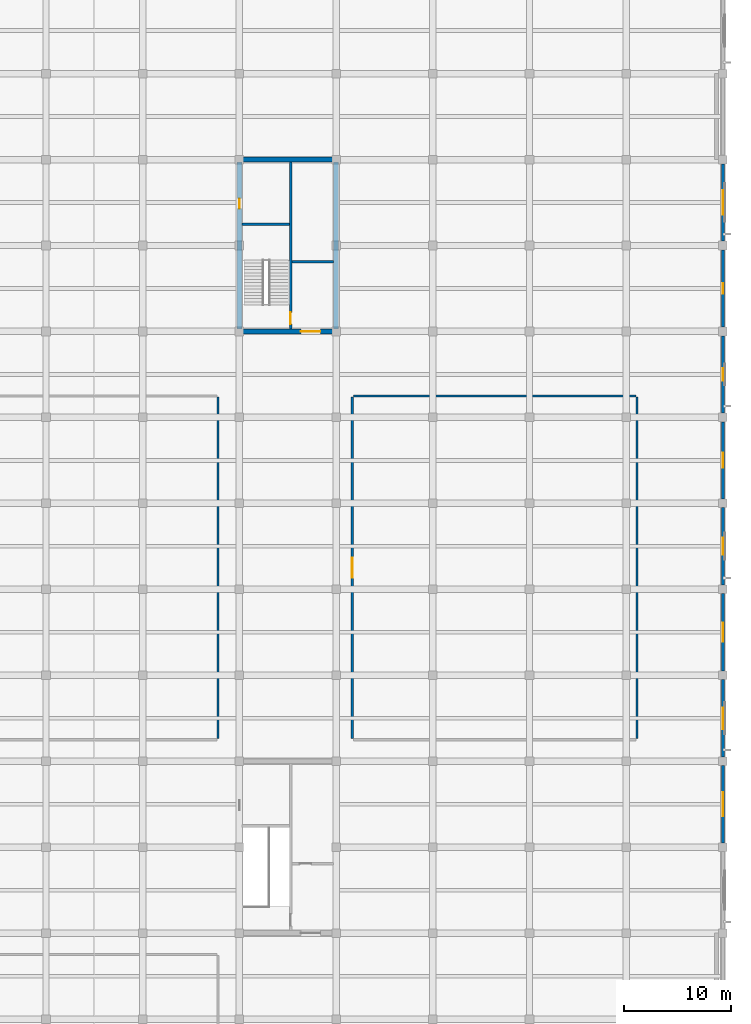
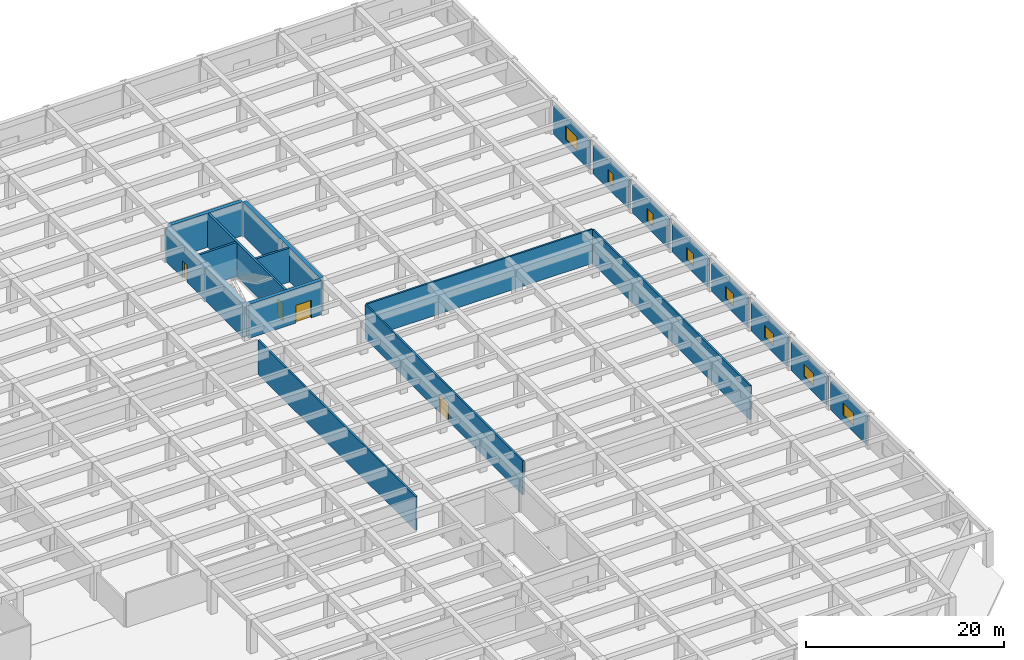
# One storey, part 18 of 32: 19 walls, 8 windows, 4 doors, 12 openings.
"""IFC4 building model written with IfcOpenShell, lengths in metres."""

from ifc_helpers import new_model, si_unit, direction, frame, frame_2d, origin, place, context, subcontext, project, spatial, rectangle, extrude, material, layer, layer_set, type_object, element, fill, save


model = new_model("IFC4")

# Units and contexts
model_context = context("Model", 3, precision=1e-05, world=origin(), true_north=direction((0.0, 1.0)))
body_context = subcontext(model_context, "Body", "Model", "MODEL_VIEW")
ifc_project = project(units=[si_unit("LENGTHUNIT", "METRE"), si_unit("AREAUNIT", "SQUARE_METRE"), si_unit("VOLUMEUNIT", "CUBIC_METRE"), si_unit("PLANEANGLEUNIT", "RADIAN"), si_unit("MASSUNIT", "GRAM", prefix="KILO")], contexts=[model_context])

# Site, building, storey
site_placement = place(None, origin())
site = spatial("IfcSite", under=ifc_project, at=site_placement, CompositionType="ELEMENT")
building_placement = place(site_placement, origin())
building = spatial("IfcBuilding", under=site, at=building_placement, Name="Zaverband Oceanarium and Marine Research Institute", CompositionType="ELEMENT")
storey_placement = place(building_placement, frame((0.0, 0.0, 13.5)))
storey = spatial("IfcBuildingStorey", under=building, at=storey_placement, Name="L03", CompositionType="ELEMENT", Elevation=13.5)

# Wall, opening, door
ifc_material_1 = material(Name="Concrete C50/60", Category="concrete")
ifc_layer_1 = layer(ifc_material_1, 0.449951171875, Name="Concrete C50/60")
ifc_layer_set_1 = layer_set([ifc_layer_1], Name="Concrete C50/60")
wall_type_1 = type_object("IfcWallType", Name="CW-02", PredefinedType="SHEAR", material=ifc_layer_set_1)
wall_1_placement = place(storey_placement, frame((135.22509765625, 80.0, 0.0), z_axis=(0.0, 0.0, 1.0), x_axis=(1.0, 0.0, 0.0)))
wall_1 = element("IfcWall", 1, at=wall_1_placement, inside=storey, type_object=wall_type_1, Name="Structural shear wall CW-02", PredefinedType="SHEAR", context=body_context, shape_type="SweptSolid", body=[
    extrude(rectangle(XDim=8.5498046875, YDim=0.449951171875, at=frame_2d((4.27490234375, 0.0))), origin(), (0.0, 0.0, 1.0), 4.199951171875),
])
opening_1_placement = place(wall_1_placement, frame((5.5, 0.0, 0.0)))
opening_1 = element("IfcOpeningElement", 2, at=opening_1_placement, cuts=wall_1, Name="Opening FD-02", PredefinedType="OPENING", context=body_context, shape_type="SweptSolid", body=[
    extrude(rectangle(XDim=1.800048828125, YDim=2.179931640625, at=frame_2d((0.89990234375, 1.08984375))), frame((0.0, 0.23681640625, 0.0), z_axis=(0.0, -1.0, 0.0), x_axis=(1.0, 0.0, 0.0)), (0.0, 0.0, 1.0), 0.473876953125),
])
ifc_material_2 = material(Name="Steel S355", Category="steel")
door_type_1 = type_object("IfcDoorType", Name="FD-02", OperationType="DOUBLE_DOOR_SINGLE_SWING", PredefinedType="DOOR", material=ifc_material_2)
door_1_placement = place(opening_1_placement, origin())
door_1 = element("IfcDoor", 3, at=door_1_placement, inside=storey, type_object=door_type_1, Name="Protected lobby double fire door FD-02", OperationType="DOUBLE_DOOR_SINGLE_SWING", OverallHeight=2.179931640625, OverallWidth=1.800048828125, PredefinedType="DOOR", context=body_context, shape_type="SweptSolid", body=[
    extrude(rectangle(XDim=1.800048828125, YDim=2.179931640625, at=frame_2d((0.89990234375, 1.08984375))), frame((0.0, 0.02490234375, 0.0), z_axis=(0.0, -1.0, 0.0), x_axis=(1.0, 0.0, 0.0)), (0.0, 0.0, 1.0), 0.050048828125),
])
fill(opening_1, door_1)

# Wall
wall_2_placement = place(storey_placement, frame((135.22509765625, 96.0, 0.0), z_axis=(0.0, 0.0, 1.0), x_axis=(1.0, 0.0, 0.0)))
element("IfcWall", 4, at=wall_2_placement, inside=storey, type_object=wall_type_1, Name="Structural shear wall CW-02", PredefinedType="SHEAR", context=body_context, shape_type="SweptSolid", body=[
    extrude(rectangle(XDim=8.5498046875, YDim=0.449951171875, at=frame_2d((4.27490234375, 0.0))), origin(), (0.0, 0.0, 1.0), 4.199951171875),
])

# Wall, opening, door
wall_3_placement = place(storey_placement, frame((135.0, 80.22509765625, 0.0), z_axis=(0.0, 0.0, 1.0), x_axis=(0.0, 1.0, 0.0)))
wall_3 = element("IfcWall", 5, at=wall_3_placement, inside=storey, type_object=wall_type_1, Name="Structural shear wall CW-02", PredefinedType="SHEAR", context=body_context, shape_type="SweptSolid", body=[
    extrude(rectangle(XDim=15.5498046875, YDim=0.449951171875, at=frame_2d((7.77490234375, 0.0))), origin(), (0.0, 0.0, 1.0), 4.199951171875),
])
opening_2_placement = place(wall_3_placement, frame((11.199951171875, 0.0, 0.0)))
opening_2 = element("IfcOpeningElement", 6, at=opening_2_placement, cuts=wall_3, Name="Opening FD-03", PredefinedType="OPENING", context=body_context, shape_type="SweptSolid", body=[
    extrude(rectangle(XDim=0.949951171875, YDim=2.10009765625, at=frame_2d((0.47509765625, 1.050048828125))), frame((0.0, 0.23681640625, 0.0), z_axis=(0.0, -1.0, 0.0), x_axis=(1.0, 0.0, 0.0)), (0.0, 0.0, 1.0), 0.473876953125),
])
door_type_2 = type_object("IfcDoorType", Name="FD-03", OperationType="NOTDEFINED", PredefinedType="DOOR", material=ifc_material_2)
door_2_placement = place(opening_2_placement, origin())
door_2 = element("IfcDoor", 7, at=door_2_placement, inside=storey, type_object=door_type_2, Name="Service riser access fire door FD-03", OperationType="SINGLE_SWING_RIGHT", OverallHeight=2.10009765625, OverallWidth=0.949951171875, PredefinedType="DOOR", context=body_context, shape_type="SweptSolid", body=[
    extrude(rectangle(XDim=0.949951171875, YDim=2.10009765625, at=frame_2d((0.47509765625, 1.050048828125))), frame((0.0, 0.02490234375, 0.0), z_axis=(0.0, -1.0, 0.0), x_axis=(1.0, 0.0, 0.0)), (0.0, 0.0, 1.0), 0.050048828125),
])
fill(opening_2, door_2)

# Wall
wall_4_placement = place(storey_placement, frame((144.0, 80.22509765625, 0.0), z_axis=(0.0, 0.0, 1.0), x_axis=(0.0, 1.0, 0.0)))
element("IfcWall", 8, at=wall_4_placement, inside=storey, type_object=wall_type_1, Name="Structural shear wall CW-02", PredefinedType="SHEAR", context=body_context, shape_type="SweptSolid", body=[
    extrude(rectangle(XDim=15.5498046875, YDim=0.449951171875, at=frame_2d((7.77490234375, 0.0))), origin(), (0.0, 0.0, 1.0), 4.199951171875),
])

# Wall, opening, window
ifc_material_3 = material(Name="Concrete C40/50 precast", Category="concrete")
ifc_layer_2 = layer(ifc_material_3, 0.264892578125, Name="Concrete C40/50 precast")
ifc_layer_set_2 = layer_set([ifc_layer_2], Name="Concrete C40/50 precast")
wall_type_2 = type_object("IfcWallType", Name="EW-265", PredefinedType="STANDARD", material=ifc_layer_set_2)
wall_5_placement = place(storey_placement, frame((180.0, 40.405029296875, 0.0), z_axis=(0.0, 0.0, 1.0), x_axis=(0.0, 1.0, 0.0)))
wall_5 = element("IfcWall", 9, at=wall_5_placement, inside=storey, type_object=wall_type_2, Name="Exterior infill wall EW-265", PredefinedType="STANDARD", context=body_context, shape_type="SweptSolid", body=[
    extrude(rectangle(XDim=7.18994140625, YDim=0.264892578125, at=frame_2d((3.594970703125, 0.0))), origin(), (0.0, 0.0, 1.0), 3.47998046875),
])
opening_3_placement = place(wall_5_placement, frame((2.594970703125, 0.0, 0.85009765625)))
opening_3 = element("IfcOpeningElement", 10, at=opening_3_placement, cuts=wall_5, Name="Opening WN-2000x1500", PredefinedType="OPENING", context=body_context, shape_type="SweptSolid", body=[
    extrude(rectangle(XDim=2.0, YDim=1.5, at=frame_2d((1.0, 0.75))), frame((0.0, 0.14453125, 0.0), z_axis=(0.0, -1.0, 0.0), x_axis=(1.0, 0.0, 0.0)), (0.0, 0.0, 1.0), 0.288818359375),
])
ifc_material_4 = material(Name="Thermally broken anodized aluminium and solar-control glass", Category="aluminium")
window_type_1 = type_object("IfcWindowType", Name="WN-2000x1500", PartitioningType="SINGLE_PANEL", PredefinedType="WINDOW", material=ifc_material_4)
window_1_placement = place(opening_3_placement, origin())
window_1 = element("IfcWindow", 11, at=window_1_placement, inside=storey, type_object=window_type_1, Name="Fixed / casement exterior window WN-2000x1500", OverallHeight=1.5, OverallWidth=2.0, PartitioningType="SINGLE_PANEL", PredefinedType="WINDOW", context=body_context, shape_type="SweptSolid", body=[
    extrude(rectangle(XDim=2.0, YDim=1.5, at=frame_2d((1.0, 0.75))), frame((0.0, 0.030029296875, 0.0), z_axis=(0.0, -1.0, 0.0), x_axis=(1.0, 0.0, 0.0)), (0.0, 0.0, 1.0), 0.06005859375),
])
fill(opening_3, window_1)

wall_6_placement = place(storey_placement, frame((180.0, 64.405029296875, 0.0), z_axis=(0.0, 0.0, 1.0), x_axis=(0.0, 1.0, 0.0)))
wall_6 = element("IfcWall", 12, at=wall_6_placement, inside=storey, type_object=wall_type_2, Name="Exterior infill wall EW-265", PredefinedType="STANDARD", context=body_context, shape_type="SweptSolid", body=[
    extrude(rectangle(XDim=7.18994140625, YDim=0.264892578125, at=frame_2d((3.594970703125, 0.0))), origin(), (0.0, 0.0, 1.0), 3.47998046875),
])
opening_4_placement = place(wall_6_placement, frame((2.89501953125, 0.0, 0.85009765625)))
opening_4 = element("IfcOpeningElement", 13, at=opening_4_placement, cuts=wall_6, Name="Opening WN-1400x1500", PredefinedType="OPENING", context=body_context, shape_type="SweptSolid", body=[
    extrude(rectangle(XDim=1.39990234375, YDim=1.5, at=frame_2d((0.699951171875, 0.75))), frame((0.0, 0.14453125, 0.0), z_axis=(0.0, -1.0, 0.0), x_axis=(1.0, 0.0, 0.0)), (0.0, 0.0, 1.0), 0.288818359375),
])
window_type_2 = type_object("IfcWindowType", Name="WN-1400x1500", PartitioningType="SINGLE_PANEL", PredefinedType="WINDOW", material=ifc_material_4)
window_2_placement = place(opening_4_placement, origin())
window_2 = element("IfcWindow", 14, at=window_2_placement, inside=storey, type_object=window_type_2, Name="Fixed / casement exterior window WN-1400x1500", OverallHeight=1.5, OverallWidth=1.39990234375, PartitioningType="SINGLE_PANEL", PredefinedType="WINDOW", context=body_context, shape_type="SweptSolid", body=[
    extrude(rectangle(XDim=1.39990234375, YDim=1.5, at=frame_2d((0.699951171875, 0.75))), frame((0.0, 0.030029296875, 0.0), z_axis=(0.0, -1.0, 0.0), x_axis=(1.0, 0.0, 0.0)), (0.0, 0.0, 1.0), 0.06005859375),
])
fill(opening_4, window_2)

wall_7_placement = place(storey_placement, frame((180.0, 88.405029296875, 0.0), z_axis=(0.0, 0.0, 1.0), x_axis=(0.0, 1.0, 0.0)))
wall_7 = element("IfcWall", 15, at=wall_7_placement, inside=storey, type_object=wall_type_2, Name="Exterior infill wall EW-265", PredefinedType="STANDARD", context=body_context, shape_type="SweptSolid", body=[
    extrude(rectangle(XDim=7.18994140625, YDim=0.264892578125, at=frame_2d((3.594970703125, 0.0))), origin(), (0.0, 0.0, 1.0), 3.47998046875),
])
opening_5_placement = place(wall_7_placement, frame((2.445068359375, 0.0, 0.85009765625)))
opening_5 = element("IfcOpeningElement", 16, at=opening_5_placement, cuts=wall_7, Name="Opening WN-2300x1650", PredefinedType="OPENING", context=body_context, shape_type="SweptSolid", body=[
    extrude(rectangle(XDim=2.300048828125, YDim=1.64990234375, at=frame_2d((1.14990234375, 0.824951171875))), frame((0.0, 0.14453125, 0.0), z_axis=(0.0, -1.0, 0.0), x_axis=(1.0, 0.0, 0.0)), (0.0, 0.0, 1.0), 0.288818359375),
])
window_type_3 = type_object("IfcWindowType", Name="WN-2300x1650", PartitioningType="SINGLE_PANEL", PredefinedType="WINDOW", material=ifc_material_4)
window_3_placement = place(opening_5_placement, origin())
window_3 = element("IfcWindow", 17, at=window_3_placement, inside=storey, type_object=window_type_3, Name="Fixed / casement exterior window WN-2300x1650", OverallHeight=1.64990234375, OverallWidth=2.300048828125, PartitioningType="SINGLE_PANEL", PredefinedType="WINDOW", context=body_context, shape_type="SweptSolid", body=[
    extrude(rectangle(XDim=2.300048828125, YDim=1.64990234375, at=frame_2d((1.14990234375, 0.824951171875))), frame((0.0, 0.030029296875, 0.0), z_axis=(0.0, -1.0, 0.0), x_axis=(1.0, 0.0, 0.0)), (0.0, 0.0, 1.0), 0.06005859375),
])
fill(opening_5, window_3)

ifc_layer_3 = layer(ifc_material_3, 0.2900390625, Name="Concrete C40/50 precast")
ifc_layer_set_3 = layer_set([ifc_layer_3], Name="Concrete C40/50 precast")
wall_type_3 = type_object("IfcWallType", Name="EW-290", PredefinedType="STANDARD", material=ifc_layer_set_3)
wall_8_placement = place(storey_placement, frame((180.0, 32.405029296875, 0.0), z_axis=(0.0, 0.0, 1.0), x_axis=(0.0, 1.0, 0.0)))
wall_8 = element("IfcWall", 18, at=wall_8_placement, inside=storey, type_object=wall_type_3, Name="Exterior infill wall EW-290", PredefinedType="STANDARD", context=body_context, shape_type="SweptSolid", body=[
    extrude(rectangle(XDim=7.18994140625, YDim=0.2900390625, at=frame_2d((3.594970703125, 0.0))), origin(), (0.0, 0.0, 1.0), 3.47998046875),
])
opening_6_placement = place(wall_8_placement, frame((2.4951171875, 0.0, 0.85009765625)))
opening_6 = element("IfcOpeningElement", 19, at=opening_6_placement, cuts=wall_8, Name="Opening WN-2200x1500", PredefinedType="OPENING", context=body_context, shape_type="SweptSolid", body=[
    extrude(rectangle(XDim=2.199951171875, YDim=1.5, at=frame_2d((1.10009765625, 0.75))), frame((0.0, 0.156982421875, 0.0), z_axis=(0.0, -1.0, 0.0), x_axis=(1.0, 0.0, 0.0)), (0.0, 0.0, 1.0), 0.31396484375),
])
window_type_4 = type_object("IfcWindowType", Name="WN-2200x1500", PartitioningType="SINGLE_PANEL", PredefinedType="WINDOW", material=ifc_material_4)
window_4_placement = place(opening_6_placement, origin())
window_4 = element("IfcWindow", 20, at=window_4_placement, inside=storey, type_object=window_type_4, Name="Fixed / casement exterior window WN-2200x1500", OverallHeight=1.5, OverallWidth=2.199951171875, PartitioningType="SINGLE_PANEL", PredefinedType="WINDOW", context=body_context, shape_type="SweptSolid", body=[
    extrude(rectangle(XDim=2.199951171875, YDim=1.5, at=frame_2d((1.10009765625, 0.75))), frame((0.0, 0.030029296875, 0.0), z_axis=(0.0, -1.0, 0.0), x_axis=(1.0, 0.0, 0.0)), (0.0, 0.0, 1.0), 0.06005859375),
])
fill(opening_6, window_4)

wall_9_placement = place(storey_placement, frame((180.0, 56.405029296875, 0.0), z_axis=(0.0, 0.0, 1.0), x_axis=(0.0, 1.0, 0.0)))
wall_9 = element("IfcWall", 21, at=wall_9_placement, inside=storey, type_object=wall_type_3, Name="Exterior infill wall EW-290", PredefinedType="STANDARD", context=body_context, shape_type="SweptSolid", body=[
    extrude(rectangle(XDim=7.18994140625, YDim=0.2900390625, at=frame_2d((3.594970703125, 0.0))), origin(), (0.0, 0.0, 1.0), 3.47998046875),
])
opening_7_placement = place(wall_9_placement, frame((2.794921875, 0.0, 0.85009765625)))
opening_7 = element("IfcOpeningElement", 22, at=opening_7_placement, cuts=wall_9, Name="Opening WN-1600x1500", PredefinedType="OPENING", context=body_context, shape_type="SweptSolid", body=[
    extrude(rectangle(XDim=1.60009765625, YDim=1.5, at=frame_2d((0.800048828125, 0.75))), frame((0.0, 0.156982421875, 0.0), z_axis=(0.0, -1.0, 0.0), x_axis=(1.0, 0.0, 0.0)), (0.0, 0.0, 1.0), 0.31396484375),
])
window_type_5 = type_object("IfcWindowType", Name="WN-1600x1500", PartitioningType="SINGLE_PANEL", PredefinedType="WINDOW", material=ifc_material_4)
window_5_placement = place(opening_7_placement, origin())
window_5 = element("IfcWindow", 23, at=window_5_placement, inside=storey, type_object=window_type_5, Name="Fixed / casement exterior window WN-1600x1500", OverallHeight=1.5, OverallWidth=1.60009765625, PartitioningType="SINGLE_PANEL", PredefinedType="WINDOW", context=body_context, shape_type="SweptSolid", body=[
    extrude(rectangle(XDim=1.60009765625, YDim=1.5, at=frame_2d((0.800048828125, 0.75))), frame((0.0, 0.030029296875, 0.0), z_axis=(0.0, -1.0, 0.0), x_axis=(1.0, 0.0, 0.0)), (0.0, 0.0, 1.0), 0.06005859375),
])
fill(opening_7, window_5)

wall_10_placement = place(storey_placement, frame((180.0, 80.405029296875, 0.0), z_axis=(0.0, 0.0, 1.0), x_axis=(0.0, 1.0, 0.0)))
wall_10 = element("IfcWall", 24, at=wall_10_placement, inside=storey, type_object=wall_type_3, Name="Exterior infill wall EW-290", PredefinedType="STANDARD", context=body_context, shape_type="SweptSolid", body=[
    extrude(rectangle(XDim=7.18994140625, YDim=0.2900390625, at=frame_2d((3.594970703125, 0.0))), origin(), (0.0, 0.0, 1.0), 3.47998046875),
])
opening_8_placement = place(wall_10_placement, frame((3.094970703125, 0.0, 0.85009765625)))
opening_8 = element("IfcOpeningElement", 25, at=opening_8_placement, cuts=wall_10, Name="Opening WN-1000x1500", PredefinedType="OPENING", context=body_context, shape_type="SweptSolid", body=[
    extrude(rectangle(XDim=1.0, YDim=1.5, at=frame_2d((0.5, 0.75))), frame((0.0, 0.156982421875, 0.0), z_axis=(0.0, -1.0, 0.0), x_axis=(1.0, 0.0, 0.0)), (0.0, 0.0, 1.0), 0.31396484375),
])
window_type_6 = type_object("IfcWindowType", Name="WN-1000x1500", PartitioningType="SINGLE_PANEL", PredefinedType="WINDOW", material=ifc_material_4)
window_6_placement = place(opening_8_placement, origin())
window_6 = element("IfcWindow", 26, at=window_6_placement, inside=storey, type_object=window_type_6, Name="Fixed / casement exterior window WN-1000x1500", OverallHeight=1.5, OverallWidth=1.0, PartitioningType="SINGLE_PANEL", PredefinedType="WINDOW", context=body_context, shape_type="SweptSolid", body=[
    extrude(rectangle(XDim=1.0, YDim=1.5, at=frame_2d((0.5, 0.75))), frame((0.0, 0.030029296875, 0.0), z_axis=(0.0, -1.0, 0.0), x_axis=(1.0, 0.0, 0.0)), (0.0, 0.0, 1.0), 0.06005859375),
])
fill(opening_8, window_6)

ifc_layer_4 = layer(ifc_material_3, 0.31005859375, Name="Concrete C40/50 precast")
ifc_layer_set_4 = layer_set([ifc_layer_4], Name="Concrete C40/50 precast")
wall_type_4 = type_object("IfcWallType", Name="EW-310", PredefinedType="STANDARD", material=ifc_layer_set_4)
wall_11_placement = place(storey_placement, frame((180.0, 48.405029296875, 0.0), z_axis=(0.0, 0.0, 1.0), x_axis=(0.0, 1.0, 0.0)))
wall_11 = element("IfcWall", 27, at=wall_11_placement, inside=storey, type_object=wall_type_4, Name="Exterior infill wall EW-310", PredefinedType="STANDARD", context=body_context, shape_type="SweptSolid", body=[
    extrude(rectangle(XDim=7.18994140625, YDim=0.31005859375, at=frame_2d((3.594970703125, 0.0))), origin(), (0.0, 0.0, 1.0), 3.47998046875),
])
opening_9_placement = place(wall_11_placement, frame((2.695068359375, 0.0, 0.85009765625)))
opening_9 = element("IfcOpeningElement", 28, at=opening_9_placement, cuts=wall_11, Name="Opening WN-1800x1500", PredefinedType="OPENING", context=body_context, shape_type="SweptSolid", body=[
    extrude(rectangle(XDim=1.800048828125, YDim=1.5, at=frame_2d((0.89990234375, 0.75))), frame((0.0, 0.1669921875, 0.0), z_axis=(0.0, -1.0, 0.0), x_axis=(1.0, 0.0, 0.0)), (0.0, 0.0, 1.0), 0.333984375),
])
window_type_7 = type_object("IfcWindowType", Name="WN-1800x1500", PartitioningType="SINGLE_PANEL", PredefinedType="WINDOW", material=ifc_material_4)
window_7_placement = place(opening_9_placement, origin())
window_7 = element("IfcWindow", 29, at=window_7_placement, inside=storey, type_object=window_type_7, Name="Fixed / casement exterior window WN-1800x1500", OverallHeight=1.5, OverallWidth=1.800048828125, PartitioningType="SINGLE_PANEL", PredefinedType="WINDOW", context=body_context, shape_type="SweptSolid", body=[
    extrude(rectangle(XDim=1.800048828125, YDim=1.5, at=frame_2d((0.89990234375, 0.75))), frame((0.0, 0.030029296875, 0.0), z_axis=(0.0, -1.0, 0.0), x_axis=(1.0, 0.0, 0.0)), (0.0, 0.0, 1.0), 0.06005859375),
])
fill(opening_9, window_7)

wall_12_placement = place(storey_placement, frame((180.0, 72.405029296875, 0.0), z_axis=(0.0, 0.0, 1.0), x_axis=(0.0, 1.0, 0.0)))
wall_12 = element("IfcWall", 30, at=wall_12_placement, inside=storey, type_object=wall_type_4, Name="Exterior infill wall EW-310", PredefinedType="STANDARD", context=body_context, shape_type="SweptSolid", body=[
    extrude(rectangle(XDim=7.18994140625, YDim=0.31005859375, at=frame_2d((3.594970703125, 0.0))), origin(), (0.0, 0.0, 1.0), 3.47998046875),
])
opening_10_placement = place(wall_12_placement, frame((2.9951171875, 0.0, 0.85009765625)))
opening_10 = element("IfcOpeningElement", 31, at=opening_10_placement, cuts=wall_12, Name="Opening WN-1200x1500", PredefinedType="OPENING", context=body_context, shape_type="SweptSolid", body=[
    extrude(rectangle(XDim=1.199951171875, YDim=1.5, at=frame_2d((0.60009765625, 0.75))), frame((0.0, 0.1669921875, 0.0), z_axis=(0.0, -1.0, 0.0), x_axis=(1.0, 0.0, 0.0)), (0.0, 0.0, 1.0), 0.333984375),
])
window_type_8 = type_object("IfcWindowType", Name="WN-1200x1500", PartitioningType="SINGLE_PANEL", PredefinedType="WINDOW", material=ifc_material_4)
window_8_placement = place(opening_10_placement, origin())
window_8 = element("IfcWindow", 32, at=window_8_placement, inside=storey, type_object=window_type_8, Name="Fixed / casement exterior window WN-1200x1500", OverallHeight=1.5, OverallWidth=1.199951171875, PartitioningType="SINGLE_PANEL", PredefinedType="WINDOW", context=body_context, shape_type="SweptSolid", body=[
    extrude(rectangle(XDim=1.199951171875, YDim=1.5, at=frame_2d((0.60009765625, 0.75))), frame((0.0, 0.030029296875, 0.0), z_axis=(0.0, -1.0, 0.0), x_axis=(1.0, 0.0, 0.0)), (0.0, 0.0, 1.0), 0.06005859375),
])
fill(opening_10, window_8)

# Walls
ifc_material_5 = material(Name="Fire-rated masonry compartment wall", Category="masonry")
ifc_layer_5 = layer(ifc_material_5, 0.199951171875, Name="Fire-rated masonry compartment wall")
ifc_layer_set_5 = layer_set([ifc_layer_5], Name="Fire-rated masonry compartment wall")
wall_type_5 = type_object("IfcWallType", Name="PT-200-FR", PredefinedType="PARTITIONING", material=ifc_layer_set_5)
wall_13_placement = place(storey_placement, frame((133.0, 42.10009765625, 0.0), z_axis=(0.0, 0.0, 1.0), x_axis=(0.0, 1.0, 0.0)))
element("IfcWall", 33, at=wall_13_placement, inside=storey, type_object=wall_type_5, Name="Internal partition PT-200-FR", PredefinedType="PARTITIONING", context=body_context, shape_type="SweptSolid", body=[
    extrude(rectangle(XDim=31.7998046875, YDim=0.199951171875, at=frame_2d((15.89990234375, 0.0))), origin(), (0.0, 0.0, 1.0), 4.199951171875),
])
wall_14_placement = place(storey_placement, frame((145.60009765625, 74.0, 0.0), z_axis=(0.0, 0.0, 1.0), x_axis=(1.0, 0.0, 0.0)))
element("IfcWall", 34, at=wall_14_placement, inside=storey, type_object=wall_type_5, Name="Internal partition PT-200-FR", PredefinedType="PARTITIONING", context=body_context, shape_type="SweptSolid", body=[
    extrude(rectangle(XDim=26.2998046875, YDim=0.199951171875, at=frame_2d((13.14990234375, 0.0))), origin(), (0.0, 0.0, 1.0), 4.199951171875),
])

# Wall, opening, door
wall_15_placement = place(storey_placement, frame((145.5, 42.10009765625, 0.0), z_axis=(0.0, 0.0, 1.0), x_axis=(0.0, 1.0, 0.0)))
wall_15 = element("IfcWall", 35, at=wall_15_placement, inside=storey, type_object=wall_type_5, Name="Internal partition PT-200-FR", PredefinedType="PARTITIONING", context=body_context, shape_type="SweptSolid", body=[
    extrude(rectangle(XDim=31.7998046875, YDim=0.199951171875, at=frame_2d((15.89990234375, 0.0))), origin(), (0.0, 0.0, 1.0), 4.199951171875),
])
opening_11_placement = place(wall_15_placement, frame((14.97509765625, 0.0, 0.0)))
opening_11 = element("IfcOpeningElement", 36, at=opening_11_placement, cuts=wall_15, Name="Opening ID-1850x2180", PredefinedType="OPENING", context=body_context, shape_type="SweptSolid", body=[
    extrude(rectangle(XDim=1.85009765625, YDim=2.179931640625, at=frame_2d((0.925048828125, 1.08984375))), frame((0.0, 0.11181640625, 0.0), z_axis=(0.0, -1.0, 0.0), x_axis=(1.0, 0.0, 0.0)), (0.0, 0.0, 1.0), 0.223876953125),
])
door_type_3 = type_object("IfcDoorType", Name="ID-1850x2180", OperationType="DOUBLE_DOOR_SINGLE_SWING", PredefinedType="DOOR", material=ifc_material_2)
door_3_placement = place(opening_11_placement, origin())
door_3 = element("IfcDoor", 37, at=door_3_placement, inside=storey, type_object=door_type_3, Name="Life support plant double equipment door ID-1850x2180", OperationType="DOUBLE_DOOR_SINGLE_SWING", OverallHeight=2.179931640625, OverallWidth=1.85009765625, PredefinedType="DOOR", context=body_context, shape_type="SweptSolid", body=[
    extrude(rectangle(XDim=1.85009765625, YDim=2.179931640625, at=frame_2d((0.925048828125, 1.08984375))), frame((0.0, 0.02490234375, 0.0), z_axis=(0.0, -1.0, 0.0), x_axis=(1.0, 0.0, 0.0)), (0.0, 0.0, 1.0), 0.050048828125),
])
fill(opening_11, door_3)

# Wall
wall_16_placement = place(storey_placement, frame((172.0, 42.10009765625, 0.0), z_axis=(0.0, 0.0, 1.0), x_axis=(0.0, 1.0, 0.0)))
element("IfcWall", 38, at=wall_16_placement, inside=storey, type_object=wall_type_5, Name="Internal partition PT-200-FR", PredefinedType="PARTITIONING", context=body_context, shape_type="SweptSolid", body=[
    extrude(rectangle(XDim=31.7998046875, YDim=0.199951171875, at=frame_2d((15.89990234375, 0.0))), origin(), (0.0, 0.0, 1.0), 4.199951171875),
])

# Wall, opening, door
ifc_layer_6 = layer(ifc_material_1, 0.25, Name="Concrete C50/60")
ifc_layer_set_6 = layer_set([ifc_layer_6], Name="Concrete C50/60")
wall_type_6 = type_object("IfcWallType", Name="PW-CORE-250", PredefinedType="SOLIDWALL", material=ifc_layer_set_6)
wall_17_placement = place(storey_placement, frame((139.77490234375, 80.22509765625, 0.0), z_axis=(0.0, 0.0, 1.0), x_axis=(0.0, 1.0, 0.0)))
wall_17 = element("IfcWall", 39, at=wall_17_placement, inside=storey, type_object=wall_type_6, Name="Structural concrete wall PW-CORE-250", PredefinedType="SOLIDWALL", context=body_context, shape_type="SweptSolid", body=[
    extrude(rectangle(XDim=15.5498046875, YDim=0.25, at=frame_2d((7.77490234375, 0.0))), origin(), (0.0, 0.0, 1.0), 4.199951171875),
])
opening_12_placement = place(wall_17_placement, frame((0.449951171875, 0.0, 0.0)))
opening_12 = element("IfcOpeningElement", 40, at=opening_12_placement, cuts=wall_17, Name="Opening FD-01", PredefinedType="OPENING", context=body_context, shape_type="SweptSolid", body=[
    extrude(rectangle(XDim=1.10009765625, YDim=2.14990234375, at=frame_2d((0.550048828125, 1.074951171875))), frame((0.0, 0.136962890625, 0.0), z_axis=(0.0, -1.0, 0.0), x_axis=(1.0, 0.0, 0.0)), (0.0, 0.0, 1.0), 0.27392578125),
])
door_type_4 = type_object("IfcDoorType", Name="FD-01", OperationType="NOTDEFINED", PredefinedType="DOOR", material=ifc_material_2)
door_4_placement = place(opening_12_placement, origin())
door_4 = element("IfcDoor", 41, at=door_4_placement, inside=storey, type_object=door_type_4, Name="Core stair / lobby fire door FD-01", OperationType="SINGLE_SWING_RIGHT", OverallHeight=2.14990234375, OverallWidth=1.10009765625, PredefinedType="DOOR", context=body_context, shape_type="SweptSolid", body=[
    extrude(rectangle(XDim=1.10009765625, YDim=2.14990234375, at=frame_2d((0.550048828125, 1.074951171875))), frame((0.0, 0.02490234375, 0.0), z_axis=(0.0, -1.0, 0.0), x_axis=(1.0, 0.0, 0.0)), (0.0, 0.0, 1.0), 0.050048828125),
])
fill(opening_12, door_4)

# Walls
wall_18_placement = place(storey_placement, frame((135.22509765625, 89.97509765625, 0.0), z_axis=(0.0, 0.0, 1.0), x_axis=(1.0, 0.0, 0.0)))
element("IfcWall", 42, at=wall_18_placement, inside=storey, type_object=wall_type_6, Name="Structural concrete wall PW-CORE-250", PredefinedType="SOLIDWALL", context=body_context, shape_type="SweptSolid", body=[
    extrude(rectangle(XDim=4.419921875, YDim=0.25, at=frame_2d((2.2099609375, 0.0))), origin(), (0.0, 0.0, 1.0), 4.199951171875),
])
wall_19_placement = place(storey_placement, frame((139.905029296875, 86.47509765625, 0.0), z_axis=(0.0, 0.0, 1.0), x_axis=(1.0, 0.0, 0.0)))
element("IfcWall", 43, at=wall_19_placement, inside=storey, type_object=wall_type_6, Name="Structural concrete wall PW-CORE-250", PredefinedType="SOLIDWALL", context=body_context, shape_type="SweptSolid", body=[
    extrude(rectangle(XDim=3.869873046875, YDim=0.25, at=frame_2d((1.93505859375, 0.0))), origin(), (0.0, 0.0, 1.0), 4.199951171875),
])

save(model, "model.ifc")
